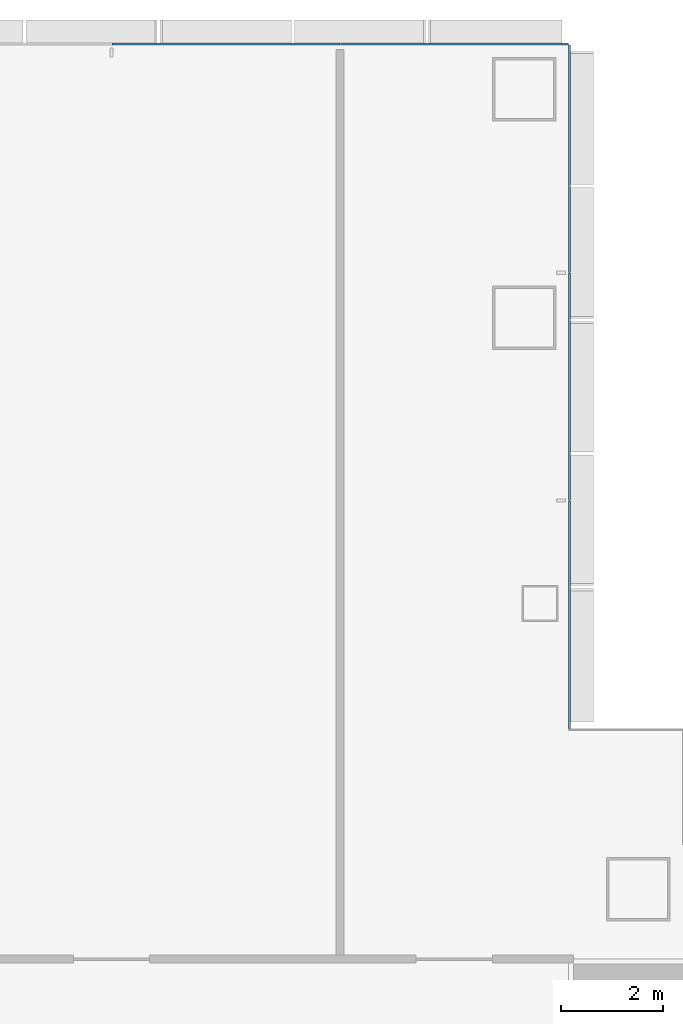
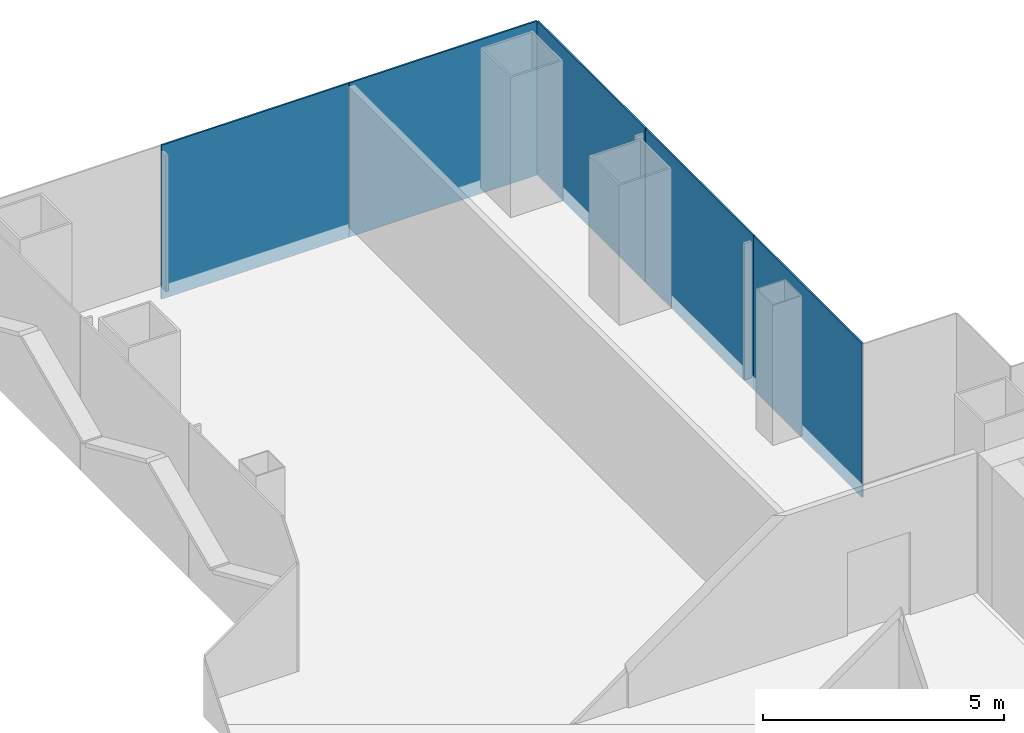
# One storey, part 10 of 19: 5 plates, 2 elements without a shape of their own.
"""IFC4 building model written with IfcOpenShell, lengths in metres."""

from ifc_helpers import new_model, si_unit, direction, frame, origin, origin_2d, place, context, subcontext, project, spatial, rectangle, extrude, material, layer, layer_set, type_object, element, aggregate, save


model = new_model("IFC4")

# Units and contexts
model_context = context("Model", 3, precision=1e-05, world=origin(), true_north=direction((0.0, 1.0)))
body_context = subcontext(model_context, "Body", "Model", "MODEL_VIEW")
ifc_project = project(units=[si_unit("LENGTHUNIT", "METRE"), si_unit("AREAUNIT", "SQUARE_METRE"), si_unit("VOLUMEUNIT", "CUBIC_METRE"), si_unit("PLANEANGLEUNIT", "RADIAN"), si_unit("MASSUNIT", "GRAM", prefix="KILO")], contexts=[model_context])

# Site, building, storey
site_placement = place(None, origin())
site = spatial("IfcSite", under=ifc_project, at=site_placement, CompositionType="ELEMENT")
building_placement = place(site_placement, origin())
building = spatial("IfcBuilding", under=site, at=building_placement, Name="Shamsa Quay Exchange Towers", CompositionType="ELEMENT")
storey_placement = place(building_placement, frame((0.0, 0.0, 85.800048828125)))
storey = spatial("IfcBuildingStorey", under=building, at=storey_placement, Name="L19", CompositionType="ELEMENT", Elevation=85.800048828125)

# Curtain wall, plates
ifc_material_1 = material(Name="Aluminium EN AW-6063 T6, black anodised", Category="aluminium")
ifc_layer_1 = layer(ifc_material_1, 0.280029296875)
ifc_layer_set_1 = layer_set([ifc_layer_1], Name="CW-1 UNITISED VISION GLASS")
curtain_wall_type = type_object("IfcCurtainWallType", Name="CW-1 UNITISED VISION GLASS", PredefinedType="NOTDEFINED", material=ifc_layer_set_1)
curtain_wall_1_placement = place(storey_placement, origin())
curtain_wall_1 = element("IfcCurtainWall", 1, at=curtain_wall_1_placement, inside=storey, type_object=curtain_wall_type, Name="CW1 T2-FLK-U+S L19", PredefinedType="NOTDEFINED")
ifc_material_2 = material(Name="Glass, laminated, dark tinted", Category="glass")
ifc_layer_2 = layer(ifc_material_2, 0.0400390625)
ifc_layer_set_2 = layer_set([ifc_layer_2], Name="CW-1 VISION GLASS 40")
plate_type = type_object("IfcPlateType", Name="CW-1 VISION GLASS 40", PredefinedType="CURTAIN_PANEL", material=ifc_layer_set_2)
plate_1_placement = place(storey_placement, frame((40.52001953125, 13.529052734375, -0.35009765625), z_axis=(0.0, 0.0, 1.0), x_axis=(0.0, 1.0, 0.0)))
plate_1 = element("IfcPlate", 2, at=plate_1_placement, type_object=plate_type, Name="CW1 glass panel", PredefinedType="CURTAIN_PANEL", context=body_context, shape_type="SweptSolid", body=[
    extrude(rectangle(XDim=4.482421875, YDim=0.0400390625, at=origin_2d()), origin(), (0.0, 0.0, 1.0), 3.89990234375),
])
plate_2_placement = place(storey_placement, frame((40.52001953125, 18.01904296875, -0.35009765625), z_axis=(0.0, 0.0, 1.0), x_axis=(0.0, 1.0, 0.0)))
plate_2 = element("IfcPlate", 3, at=plate_2_placement, type_object=plate_type, Name="CW1 glass panel", PredefinedType="CURTAIN_PANEL", context=body_context, shape_type="SweptSolid", body=[
    extrude(rectangle(XDim=4.477294921875, YDim=0.0400390625, at=origin_2d()), origin(), (0.0, 0.0, 1.0), 3.89990234375),
])
plate_3_placement = place(storey_placement, frame((40.52001953125, 22.5087890625, -0.35009765625), z_axis=(0.0, 0.0, 1.0), x_axis=(0.0, 1.0, 0.0)))
plate_3 = element("IfcPlate", 4, at=plate_3_placement, type_object=plate_type, Name="CW1 glass panel", PredefinedType="CURTAIN_PANEL", context=body_context, shape_type="SweptSolid", body=[
    extrude(rectangle(XDim=4.482421875, YDim=0.0400390625, at=origin_2d()), origin(), (0.0, 0.0, 1.0), 3.89990234375),
])
aggregate(curtain_wall_1, [plate_1, plate_2, plate_3])

curtain_wall_2_placement = place(storey_placement, origin())
curtain_wall_2 = element("IfcCurtainWall", 5, at=curtain_wall_2_placement, inside=storey, type_object=curtain_wall_type, Name="CW1 T2-END-U+ L19", PredefinedType="NOTDEFINED")
plate_4_placement = place(storey_placement, frame((38.25244140625, 24.77001953125, -0.35009765625), z_axis=(0.0, 0.0, 1.0), x_axis=(-1.0, 0.0, 0.0)))
plate_4 = element("IfcPlate", 6, at=plate_4_placement, type_object=plate_type, Name="CW1 glass panel", PredefinedType="CURTAIN_PANEL", context=body_context, shape_type="SweptSolid", body=[
    extrude(rectangle(XDim=4.4951171875, YDim=0.0400390625, at=origin_2d()), origin(), (0.0, 0.0, 1.0), 3.89990234375),
])
plate_5_placement = place(storey_placement, frame((33.75, 24.77001953125, -0.35009765625), z_axis=(0.0, 0.0, 1.0), x_axis=(-1.0, 0.0, 0.0)))
plate_5 = element("IfcPlate", 7, at=plate_5_placement, type_object=plate_type, Name="CW1 glass panel", PredefinedType="CURTAIN_PANEL", context=body_context, shape_type="SweptSolid", body=[
    extrude(rectangle(XDim=4.489990234375, YDim=0.0400390625, at=origin_2d()), origin(), (0.0, 0.0, 1.0), 3.89990234375),
])
aggregate(curtain_wall_2, [plate_4, plate_5])

save(model, "model.ifc")
